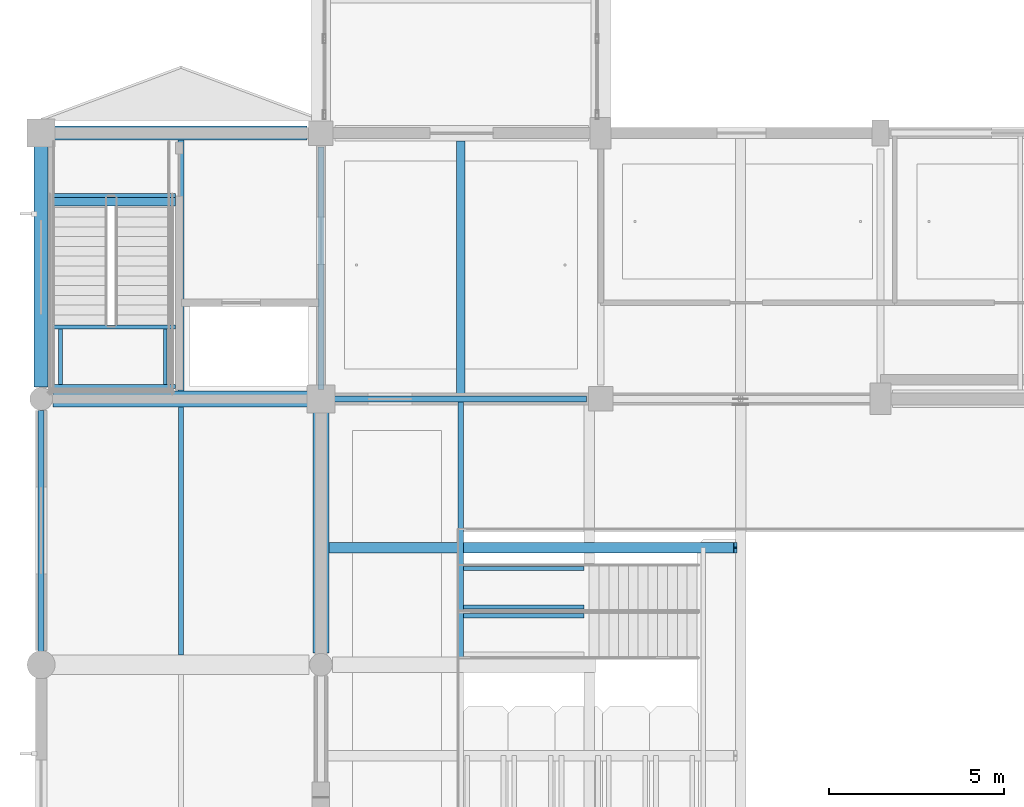
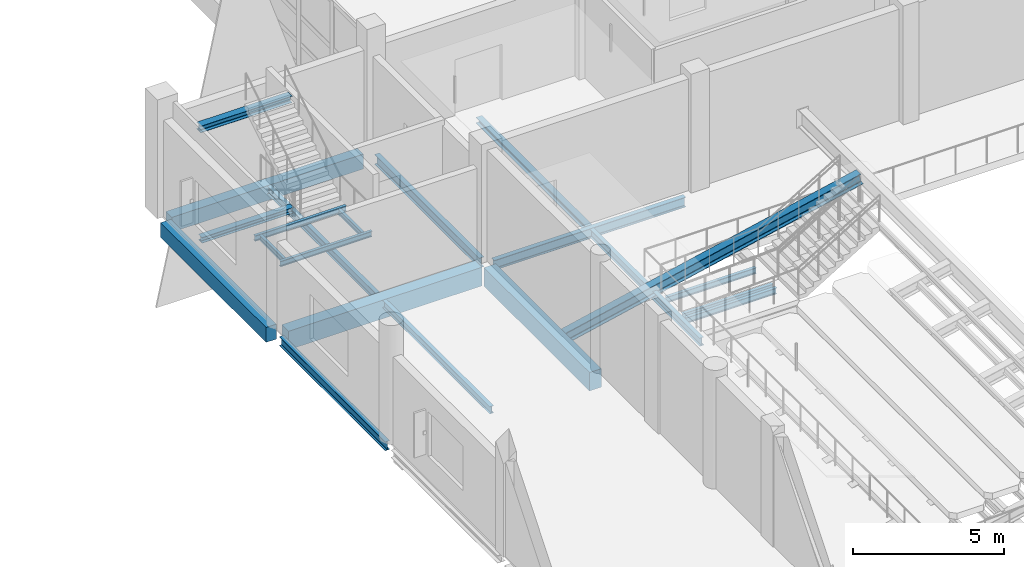
# One storey, part 18 of 147: 21 beams.
"""IFC4 building model written with IfcOpenShell, lengths in metres."""

from ifc_helpers import new_model, si_unit, direction, frame, origin, origin_2d, place, context, subcontext, project, spatial, rectangle, i_section, extrude, material, material_profile, profile_set, type_object, element, save


model = new_model("IFC4")

# Units and contexts
model_context = context("Model", 3, precision=1e-05, world=origin(), true_north=direction((0.0, 1.0)))
body_context = subcontext(model_context, "Body", "Model", "MODEL_VIEW")
ifc_project = project(units=[si_unit("LENGTHUNIT", "METRE"), si_unit("AREAUNIT", "SQUARE_METRE"), si_unit("VOLUMEUNIT", "CUBIC_METRE"), si_unit("PLANEANGLEUNIT", "RADIAN"), si_unit("MASSUNIT", "GRAM", prefix="KILO")], contexts=[model_context])

# Site, building, storey
site_placement = place(None, origin())
site = spatial("IfcSite", under=ifc_project, at=site_placement, CompositionType="ELEMENT")
building_placement = place(site_placement, origin())
building = spatial("IfcBuilding", under=site, at=building_placement, Name="Khelvaren Railside Concert Hall", CompositionType="ELEMENT")
storey_placement = place(building_placement, frame((0.0, 0.0, 5.39990234375)))
storey = spatial("IfcBuildingStorey", under=building, at=storey_placement, Name="L01", CompositionType="ELEMENT", Elevation=5.39990234375)

# Beams
ifc_material_1 = material(Name="Steel S355", Category="steel")
ifc_material_profile_1 = material_profile(ifc_material_1, i_section(OverallWidth=0.179931640625, OverallDepth=0.39990234375, WebThickness=0.008544921875, FlangeThickness=0.013427734375, FilletRadius=0.02099609375, at=origin_2d()), Name="IPE 400")
ifc_profile_set_1 = profile_set([ifc_material_profile_1], Name="Steel S355")
beam_type_1 = type_object("IfcBeamType", Name="BM29", PredefinedType="BEAM", material=ifc_profile_set_1)
beam_1_placement = place(storey_placement, frame((8.27294921875, 38.0, -0.5), z_axis=(1.0, 0.0, 0.0), x_axis=(0.0, 1.0, 0.0)))
element("IfcBeam", 1, at=beam_1_placement, inside=storey, type_object=beam_type_1, Name="V1 L01 Beam X6.2", PredefinedType="BEAM", context=body_context, shape_type="SweptSolid", body=[
    extrude(i_section(OverallWidth=0.179931640625, OverallDepth=0.39990234375, WebThickness=0.008544921875, FlangeThickness=0.013427734375, FilletRadius=0.02099609375, at=origin_2d()), origin(), (0.0, 0.0, 1.0), 7.3271484375),
])
beam_2_placement = place(storey_placement, frame((8.0, 38.27294921875, -0.5), z_axis=(0.0, 1.0, 0.0), x_axis=(-1.0, 0.0, 0.0)))
element("IfcBeam", 2, at=beam_2_placement, inside=storey, type_object=beam_type_1, Name="V1 L01 Beam Y2.6", PredefinedType="BEAM", context=body_context, shape_type="SweptSolid", body=[
    extrude(i_section(OverallWidth=0.179931640625, OverallDepth=0.39990234375, WebThickness=0.008544921875, FlangeThickness=0.013427734375, FilletRadius=0.02099609375, at=origin_2d()), origin(), (0.0, 0.0, 1.0), 6.927001953125),
])
ifc_material_profile_2 = material_profile(ifc_material_1, i_section(OverallWidth=0.1201171875, OverallDepth=0.239990234375, WebThickness=0.006103515625, FlangeThickness=0.009765625, FilletRadius=0.014892578125, at=origin_2d()), Name="IPE 240")
ifc_profile_set_2 = profile_set([ifc_material_profile_2], Name="Steel S355")
beam_type_2 = type_object("IfcBeamType", Name="BM30", PredefinedType="BEAM", material=ifc_profile_set_2)
for number, where, z_axis, x_axis, name in (
    (3, (12.070068359375, 31.800048828125, -0.31982421875), (1.0, 0.0, 0.0), (0.0, 1.0, 0.0), "Vomitory Landing Stringer ST-19-N"),
    (4, (12.070068359375, 32.050048828125, -0.31982421875), (1.0, 0.0, 0.0), (0.0, 1.0, 0.0), "Vomitory Landing Stringer ST-20-S"),
    (5, (12.070068359375, 33.14990234375, -0.31982421875), (1.0, 0.0, 0.0), (0.0, 1.0, 0.0), "Vomitory Landing Stringer ST-20-N"),
):
    element("IfcBeam", number, at=place(storey_placement, frame(where, z_axis=z_axis, x_axis=x_axis)), inside=storey, type_object=beam_type_2, Name=name, PredefinedType="BEAM", context=body_context, shape_type="SweptSolid", body=[
        extrude(i_section(OverallWidth=0.1201171875, OverallDepth=0.239990234375, WebThickness=0.006103515625, FlangeThickness=0.009765625, FilletRadius=0.014892578125, at=origin_2d()), origin(), (0.0, 0.0, 1.0), 3.449951171875),
    ])
ifc_material_profile_3 = material_profile(ifc_material_1, i_section(OverallWidth=0.239990234375, OverallDepth=0.22998046875, WebThickness=0.007568359375, FlangeThickness=0.011962890625, FilletRadius=0.02099609375, at=origin_2d()), Name="HEA 240")
ifc_profile_set_3 = profile_set([ifc_material_profile_3], Name="Steel S355")
beam_type_3 = type_object("IfcBeamType", Name="BM42", PredefinedType="BEAM", material=ifc_profile_set_3)
beam_3_placement = place(storey_placement, frame((0.344970703125, 43.63916015625, -0.114990234375), z_axis=(1.0, 0.0, 0.0), x_axis=(0.0, 1.0, 0.0)))
element("IfcBeam", 6, at=beam_3_placement, inside=storey, type_object=beam_type_3, Name="ST-11 L01 Stair Foot Trimmer Beam", PredefinedType="BEAM", context=body_context, shape_type="SweptSolid", body=[
    extrude(i_section(OverallWidth=0.239990234375, OverallDepth=0.22998046875, WebThickness=0.007568359375, FlangeThickness=0.011962890625, FilletRadius=0.02099609375, at=origin_2d()), origin(), (0.0, 0.0, 1.0), 3.4951171875),
])
ifc_material_2 = material(Name="Concrete C40/50", Category="concrete")
ifc_material_profile_4 = material_profile(ifc_material_2, rectangle(XDim=0.449951171875, YDim=0.75, at=origin_2d()), Name="RCB 450x750")
ifc_profile_set_4 = profile_set([ifc_material_profile_4], Name="Concrete C40/50")
beam_type_4 = type_object("IfcBeamType", Name="BM83", PredefinedType="BEAM", material=ifc_profile_set_4)
beam_4_placement = place(storey_placement, frame((0.3359375, 38.0, -0.6748046875), z_axis=(1.0, 0.0, 0.0), x_axis=(0.0, 1.0, 0.0)))
element("IfcBeam", 7, at=beam_4_placement, inside=storey, type_object=beam_type_4, Name="V1 L01 Beam X6.1", PredefinedType="BEAM", context=body_context, shape_type="SweptSolid", body=[
    extrude(rectangle(XDim=0.449951171875, YDim=0.75, at=origin_2d()), origin(), (0.0, 0.0, 1.0), 7.39111328125),
])
beam_5_placement = place(storey_placement, frame((8.0, 30.736083984375, -0.6748046875), z_axis=(0.0, 1.0, 0.0), x_axis=(-1.0, 0.0, 0.0)))
element("IfcBeam", 8, at=beam_5_placement, inside=storey, type_object=beam_type_4, Name="V1 L01 Beam Y2.5", PredefinedType="BEAM", context=body_context, shape_type="SweptSolid", body=[
    extrude(rectangle(XDim=0.449951171875, YDim=0.75, at=origin_2d()), origin(), (0.0, 0.0, 1.0), 6.990966796875),
])
ifc_material_profile_5 = material_profile(ifc_material_1, i_section(OverallWidth=0.110107421875, OverallDepth=0.219970703125, WebThickness=0.005859375, FlangeThickness=0.00927734375, FilletRadius=0.011962890625, at=origin_2d()), Name="IPE 220")
ifc_profile_set_5 = profile_set([ifc_material_profile_5], Name="Steel S355")
beam_type_5 = type_object("IfcBeamType", Name="BM87", PredefinedType="BEAM", material=ifc_profile_set_5)
for number, where, z_axis, x_axis, name in (
    (9, (0.344970703125, 40.054931640625, 2.090087890625), (1.0, 0.0, 0.0), (0.0, 1.0, 0.0), "ST-11 L01 Half-Landing Front Beam"),
    (10, (0.344970703125, 38.360107421875, 2.090087890625), (1.0, 0.0, 0.0), (0.0, 1.0, 0.0), "ST-11 L01 Half-Landing Rear Beam"),
):
    element("IfcBeam", number, at=place(storey_placement, frame(where, z_axis=z_axis, x_axis=x_axis)), inside=storey, type_object=beam_type_5, Name=name, PredefinedType="BEAM", context=body_context, shape_type="SweptSolid", body=[
        extrude(i_section(OverallWidth=0.110107421875, OverallDepth=0.219970703125, WebThickness=0.005859375, FlangeThickness=0.00927734375, FilletRadius=0.011962890625, at=origin_2d()), origin(), (0.0, 0.0, 1.0), 3.4951171875),
    ])
for number, where, z_axis, x_axis, name in (
    (11, (0.550048828125, 38.4150390625, 2.090087890625), (0.0, 1.0, 0.0), (-1.0, 0.0, 0.0), "ST-11 L01 Half-Landing Side Tie W"),
    (12, (3.550048828125, 38.4150390625, 2.090087890625), (0.0, 1.0, 0.0), (-1.0, 0.0, 0.0), "ST-11 L01 Half-Landing Side Tie E"),
):
    element("IfcBeam", number, at=place(storey_placement, frame(where, z_axis=z_axis, x_axis=x_axis)), inside=storey, type_object=beam_type_5, Name=name, PredefinedType="BEAM", context=body_context, shape_type="SweptSolid", body=[
        extrude(i_section(OverallWidth=0.110107421875, OverallDepth=0.219970703125, WebThickness=0.005859375, FlangeThickness=0.00927734375, FilletRadius=0.011962890625, at=origin_2d()), origin(), (0.0, 0.0, 1.0), 1.5849609375),
    ])
ifc_material_profile_6 = material_profile(ifc_material_1, i_section(OverallWidth=0.280029296875, OverallDepth=0.27001953125, WebThickness=0.008056640625, FlangeThickness=0.012939453125, FilletRadius=0.02392578125, at=origin_2d()), Name="HEA 280")
ifc_profile_set_6 = profile_set([ifc_material_profile_6], Name="Steel S355")
beam_type_6 = type_object("IfcBeamType", Name="BM93", PredefinedType="BEAM", material=ifc_profile_set_6)
beam_6_placement = place(storey_placement, frame((0.344970703125, 43.739990234375, 4.31787109375), z_axis=(1.0, 0.0, 0.0), x_axis=(0.0, 1.0, 0.0)))
element("IfcBeam", 13, at=beam_6_placement, inside=storey, type_object=beam_type_6, Name="ST-11 L01 Stair Top Arrival Trimmer Beam", PredefinedType="BEAM", context=body_context, shape_type="SweptSolid", body=[
    extrude(i_section(OverallWidth=0.280029296875, OverallDepth=0.27001953125, WebThickness=0.008056640625, FlangeThickness=0.012939453125, FilletRadius=0.02392578125, at=origin_2d()), origin(), (0.0, 0.0, 1.0), 3.4951171875),
])
ifc_material_profile_7 = material_profile(ifc_material_1, i_section(OverallWidth=0.14990234375, OverallDepth=0.300048828125, WebThickness=0.007080078125, FlangeThickness=0.0107421875, FilletRadius=0.014892578125, at=origin_2d()), Name="IPE 300")
ifc_profile_set_7 = profile_set([ifc_material_profile_7], Name="Steel S355")
beam_type_7 = type_object("IfcBeamType", Name="JS26", PredefinedType="JOIST", material=ifc_profile_set_7)
beam_7_placement = place(storey_placement, frame((4.0, 30.675048828125, -0.449951171875), z_axis=(0.0, 1.0, 0.0), x_axis=(-1.0, 0.0, 0.0)))
element("IfcBeam", 14, at=beam_7_placement, inside=storey, type_object=beam_type_7, Name="V1 L01 Secondary Joist 1.5", PredefinedType="JOIST", context=body_context, shape_type="SweptSolid", body=[
    extrude(i_section(OverallWidth=0.14990234375, OverallDepth=0.300048828125, WebThickness=0.007080078125, FlangeThickness=0.0107421875, FilletRadius=0.014892578125, at=origin_2d()), origin(), (0.0, 0.0, 1.0), 7.099853515625),
])
ifc_material_profile_8 = material_profile(ifc_material_1, i_section(OverallWidth=0.159912109375, OverallDepth=0.330078125, WebThickness=0.007568359375, FlangeThickness=0.011474609375, FilletRadius=0.01806640625, at=origin_2d()), Name="IPE 330")
ifc_profile_set_8 = profile_set([ifc_material_profile_8], Name="Steel S355")
beam_type_8 = type_object("IfcBeamType", Name="JS65", PredefinedType="JOIST", material=ifc_profile_set_8)
beam_8_placement = place(storey_placement, frame((4.0, 38.22509765625, -0.46484375), z_axis=(0.0, 1.0, 0.0), x_axis=(-1.0, 0.0, 0.0)))
element("IfcBeam", 15, at=beam_8_placement, inside=storey, type_object=beam_type_8, Name="V1 L01 Secondary Joist 1.6", PredefinedType="JOIST", context=body_context, shape_type="SweptSolid", body=[
    extrude(i_section(OverallWidth=0.159912109375, OverallDepth=0.330078125, WebThickness=0.007568359375, FlangeThickness=0.011474609375, FilletRadius=0.01806640625, at=origin_2d()), origin(), (0.0, 0.0, 1.0), 7.1748046875),
])
beam_9_placement = place(storey_placement, frame((12.0, 30.625, -0.46484375), z_axis=(0.0, 1.0, 0.0), x_axis=(-1.0, 0.0, 0.0)))
element("IfcBeam", 16, at=beam_9_placement, inside=storey, type_object=beam_type_8, Name="V1 L01 Secondary Joist 2.5", PredefinedType="JOIST", context=body_context, shape_type="SweptSolid", body=[
    extrude(i_section(OverallWidth=0.159912109375, OverallDepth=0.330078125, WebThickness=0.007568359375, FlangeThickness=0.011474609375, FilletRadius=0.01806640625, at=origin_2d()), origin(), (0.0, 0.0, 1.0), 7.284912109375),
])
ifc_material_profile_9 = material_profile(ifc_material_1, i_section(OverallWidth=0.239990234375, OverallDepth=0.22998046875, WebThickness=0.007568359375, FlangeThickness=0.011962890625, FilletRadius=0.02099609375, at=origin_2d()), Name="HEA 240")
ifc_profile_set_9 = profile_set([ifc_material_profile_9], Name="Steel S355")
beam_type_9 = type_object("IfcBeamType", Name="JS76", PredefinedType="JOIST", material=ifc_profile_set_9)
beam_10_placement = place(storey_placement, frame((12.0, 38.090087890625, -0.414794921875), z_axis=(0.0, 1.0, 0.0), x_axis=(-1.0, 0.0, 0.0)))
element("IfcBeam", 17, at=beam_10_placement, inside=storey, type_object=beam_type_9, Name="V1 L01 Secondary Joist 2.6", PredefinedType="JOIST", context=body_context, shape_type="SweptSolid", body=[
    extrude(i_section(OverallWidth=0.239990234375, OverallDepth=0.22998046875, WebThickness=0.007568359375, FlangeThickness=0.011962890625, FilletRadius=0.02099609375, at=origin_2d()), origin(), (0.0, 0.0, 1.0), 7.284912109375),
])
ifc_material_profile_10 = material_profile(ifc_material_1, i_section(OverallWidth=0.300048828125, OverallDepth=0.43994140625, WebThickness=0.011474609375, FlangeThickness=0.02099609375, FilletRadius=0.027099609375, at=origin_2d()), Name="HEA 450")
ifc_profile_set_10 = profile_set([ifc_material_profile_10], Name="Steel S355")
beam_type_10 = type_object("IfcBeamType", Name="RK59", PredefinedType="USERDEFINED", material=ifc_profile_set_10)
beam_11_placement = place(storey_placement, frame((8.169921875, 33.75, -1.013916015625), z_axis=(0.976568332246, 0.0, 0.215207556684), x_axis=(0.0, 1.0, 0.0)))
element("IfcBeam", 18, at=beam_11_placement, inside=storey, type_object=beam_type_10, Name="V1-L01 Balcony Raker Beam 8", ObjectType="RAKER", PredefinedType="USERDEFINED", context=body_context, shape_type="SweptSolid", body=[
    extrude(i_section(OverallWidth=0.300048828125, OverallDepth=0.43994140625, WebThickness=0.011474609375, FlangeThickness=0.02099609375, FilletRadius=0.027099609375, at=origin_2d()), origin(), (0.0, 0.0, 1.0), 11.96044921875),
])
ifc_material_profile_11 = material_profile(ifc_material_1, i_section(OverallWidth=0.169921875, OverallDepth=0.360107421875, WebThickness=0.008056640625, FlangeThickness=0.0126953125, FilletRadius=0.01806640625, at=origin_2d()), Name="IPE 360")
ifc_profile_set_11 = profile_set([ifc_material_profile_11], Name="Steel S355")
beam_type_11 = type_object("IfcBeamType", Name="SP74", PredefinedType="SPANDREL", material=ifc_profile_set_11)
beam_12_placement = place(storey_placement, frame((0.0, 30.64990234375, -0.47998046875), z_axis=(0.0, 1.0, 0.0), x_axis=(-1.0, 0.0, 0.0)))
element("IfcBeam", 19, at=beam_12_placement, inside=storey, type_object=beam_type_11, Name="V1 L01 Spandrel Y1.5", PredefinedType="SPANDREL", context=body_context, shape_type="SweptSolid", body=[
    extrude(i_section(OverallWidth=0.169921875, OverallDepth=0.360107421875, WebThickness=0.008056640625, FlangeThickness=0.0126953125, FilletRadius=0.01806640625, at=origin_2d()), origin(), (0.0, 0.0, 1.0), 7.01416015625),
])
ifc_material_profile_12 = material_profile(ifc_material_2, rectangle(XDim=0.39990234375, YDim=0.60009765625, at=origin_2d()), Name="RCB 400x600")
ifc_profile_set_12 = profile_set([ifc_material_profile_12], Name="Concrete C40/50")
beam_type_12 = type_object("IfcBeamType", Name="SP75", PredefinedType="SPANDREL", material=ifc_profile_set_12)
beam_13_placement = place(storey_placement, frame((0.27294921875, 45.60009765625, -0.599853515625), z_axis=(1.0, 0.0, 0.0), x_axis=(0.0, 1.0, 0.0)))
element("IfcBeam", 20, at=beam_13_placement, inside=storey, type_object=beam_type_12, Name="V1 L01 Spandrel X7.1", PredefinedType="SPANDREL", context=body_context, shape_type="SweptSolid", body=[
    extrude(rectangle(XDim=0.39990234375, YDim=0.60009765625, at=origin_2d()), origin(), (0.0, 0.0, 1.0), 7.3271484375),
])
beam_14_placement = place(storey_placement, frame((0.0, 38.3359375, -0.599853515625), z_axis=(0.0, 1.0, 0.0), x_axis=(-1.0, 0.0, 0.0)))
element("IfcBeam", 21, at=beam_14_placement, inside=storey, type_object=beam_type_12, Name="V1 L01 Spandrel Y1.6", PredefinedType="SPANDREL", context=body_context, shape_type="SweptSolid", body=[
    extrude(rectangle(XDim=0.39990234375, YDim=0.60009765625, at=origin_2d()), origin(), (0.0, 0.0, 1.0), 6.990966796875),
])

save(model, "model.ifc")
